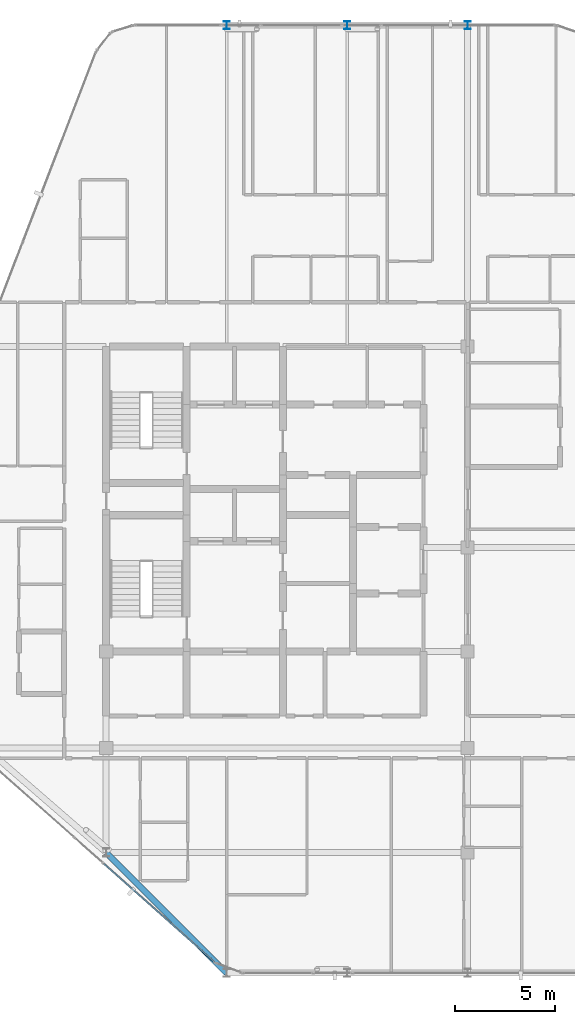
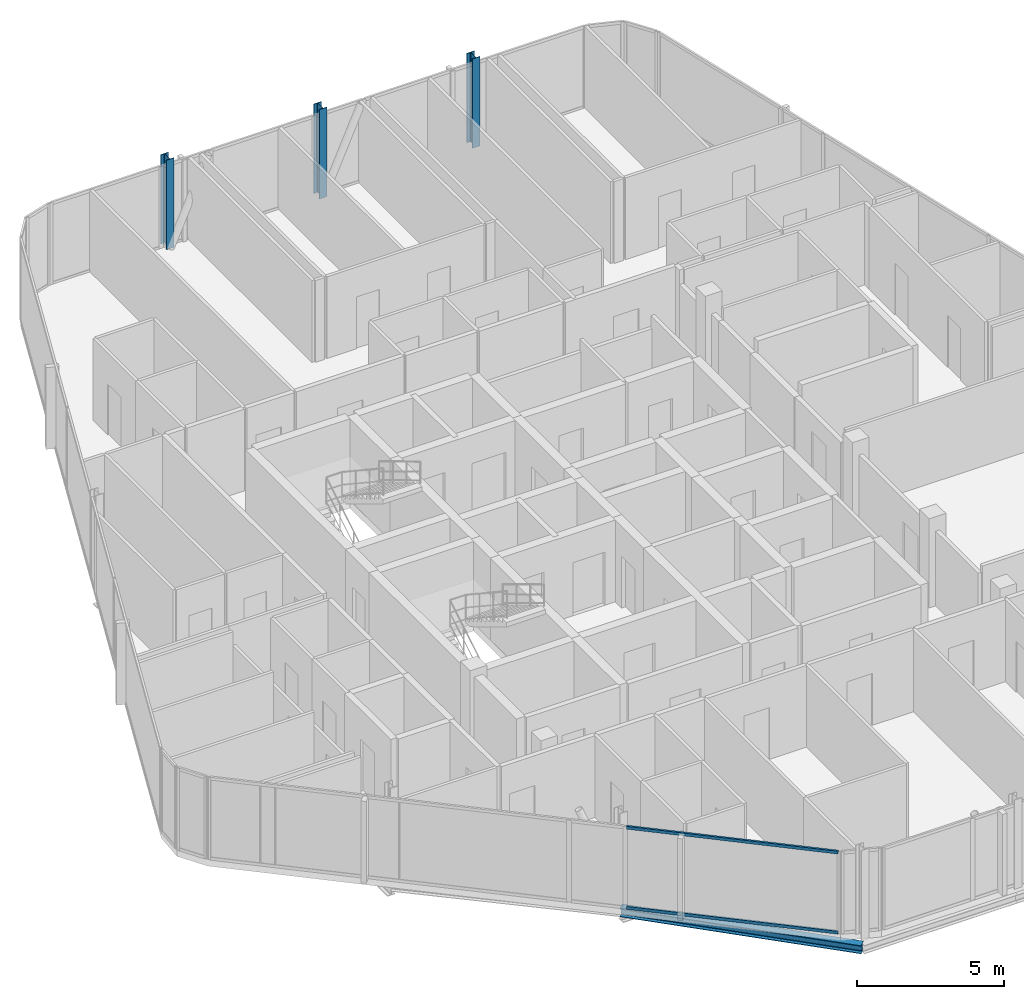
# One storey, part 2 of 28: 3 columns, 2 members, 1 beam, 1 element without a shape of its own.
"""IFC4 building model written with IfcOpenShell, lengths in metres."""

import ifcopenshell
import ifcopenshell.guid

model = None  # the IFC model being written
_history = None  # IfcOwnerHistory: only IFC2X3 demands one
_inside = {}  # id of a spatial element -> (the spatial element, [elements in it])
_under = {}  # id of a project, library or spatial element -> (it, [spatial elements below it])
_declared = {}  # id of a project -> (the project, [libraries it declares])
_typed = {}  # id of a type object -> (the type object, [elements of that type])
_made_of = {}  # id of a material, layer set ... -> (it, [elements and type objects made of it])


def new_model(schema):
    """Start an empty IFC model of exactly this schema.

    Asked for "IFC4X3", IfcOpenShell would pick the latest addendum, in which some entities
    have other attributes; the version numbers below select the first issue.
    IFC2X3 requires an IfcOwnerHistory on every rooted entity: one is made here for all.
    """
    global model, _history
    if schema == "IFC4X3":
        model = ifcopenshell.file(schema_version=(4, 3, 0, 0))
    else:
        model = ifcopenshell.file(schema=schema)
    _inside.clear()
    _under.clear()
    _declared.clear()
    _typed.clear()
    _made_of.clear()
    _history = None
    if model.schema == "IFC2X3":
        org = make("IfcOrganization", Name="unknown")
        user = make(
            "IfcPersonAndOrganization",
            ThePerson=make("IfcPerson", FamilyName="unknown"),
            TheOrganization=org,
        )
        app = make(
            "IfcApplication",
            ApplicationDeveloper=org,
            Version="unknown",
            ApplicationFullName="unknown",
            ApplicationIdentifier="unknown",
        )
        _history = make(
            "IfcOwnerHistory",
            OwningUser=user,
            OwningApplication=app,
            ChangeAction="ADDED",
            CreationDate=0,
        )
    return model


def make(cls, **values):
    """One entity of the class cls with the attributes given. An attribute that is None is left unset."""
    return model.create_entity(
        cls, **{name: value for name, value in values.items() if value is not None}
    )


def rooted(cls, **values):
    """An entity with a GlobalId (a new one), such as an element, a storey or a relation."""
    return make(cls, GlobalId=ifcopenshell.guid.new(), OwnerHistory=_history, **values)


def si_unit(unit_type, name, prefix=None):
    """IfcSIUnit, for example si_unit("LENGTHUNIT", "METRE", prefix="MILLI")."""
    return make("IfcSIUnit", UnitType=unit_type, Prefix=prefix, Name=name)


def assignment(units):
    """IfcUnitAssignment: the units of a project."""
    return None if units is None else make("IfcUnitAssignment", Units=units)


def point(xyz):
    """IfcCartesianPoint."""
    return None if xyz is None else make("IfcCartesianPoint", Coordinates=xyz)


def direction(xyz):
    """IfcDirection."""
    return None if xyz is None else make("IfcDirection", DirectionRatios=xyz)


def frame(location, z_axis=None, x_axis=None):
    """IfcAxis2Placement3D, a coordinate frame: its origin and axes. An axis left out is left unset."""
    return make(
        "IfcAxis2Placement3D",
        Location=point(location),
        Axis=direction(z_axis),
        RefDirection=direction(x_axis),
    )


def frame_2d(location, x_axis=None):
    """IfcAxis2Placement2D, a coordinate frame in the plane: its origin and x axis."""
    return make(
        "IfcAxis2Placement2D", Location=point(location), RefDirection=direction(x_axis)
    )


def origin():
    """The frame at (0, 0, 0) with its axes left unset."""
    return frame((0.0, 0.0, 0.0))


def origin_2d():
    """The frame at (0, 0) in the plane with its x axis left unset."""
    return frame_2d((0.0, 0.0))


def place(relative_to, where):
    """IfcLocalPlacement: puts the frame where relative to a parent placement (None: the world)."""
    return make(
        "IfcLocalPlacement", PlacementRelTo=relative_to, RelativePlacement=where
    )


def context(
    kind, dimensions, precision=None, world=None, true_north=None, identifier=None
):
    """IfcGeometricRepresentationContext, for example the 3D "Model" context."""
    return make(
        "IfcGeometricRepresentationContext",
        ContextIdentifier=identifier,
        ContextType=kind,
        CoordinateSpaceDimension=dimensions,
        Precision=precision,
        WorldCoordinateSystem=world,
        TrueNorth=true_north,
    )


def subcontext(parent, identifier, kind, view, scale=None):
    """IfcGeometricRepresentationSubContext, for example "Body" below "Model"."""
    return make(
        "IfcGeometricRepresentationSubContext",
        ContextIdentifier=identifier,
        ContextType=kind,
        ParentContext=parent,
        TargetScale=scale,
        TargetView=view,
    )


def project(units=None, contexts=None):
    """IfcProject with its units and contexts."""
    return rooted(
        "IfcProject",
        Name="project",
        RepresentationContexts=contexts,
        UnitsInContext=assignment(units),
    )


def spatial(cls, under=None, at=None, **own):
    """A site, building, storey or space (cls), placed at a placement, below another one or the project."""
    s = rooted(cls, ObjectPlacement=at, **own)
    if under is not None:
        _under.setdefault(under.id(), (under, []))[1].append(s)
    return s


def profile(cls, at=None, kind="AREA", **sizes):
    """A parametric profile (cls). Its sizes go by their IFC names, for example OverallWidth=200.0."""
    return make(cls, ProfileType=kind, Position=at, **sizes)


def hollow_rectangle(**sizes):
    """IfcRectangleHollowProfileDef."""
    return profile("IfcRectangleHollowProfileDef", **sizes)


def i_section(**sizes):
    """IfcIShapeProfileDef."""
    return profile("IfcIShapeProfileDef", **sizes)


def extrude(swept, where, along, depth):
    """IfcExtrudedAreaSolid: the profile swept, set in the frame where, extruded along a direction by depth."""
    return make(
        "IfcExtrudedAreaSolid",
        SweptArea=swept,
        Position=where,
        ExtrudedDirection=direction(along),
        Depth=depth,
    )


def shape(context_of_items, identifier, shape_type, items):
    """IfcShapeRepresentation: the items that make up one representation, for example the "Body"."""
    return make(
        "IfcShapeRepresentation",
        ContextOfItems=context_of_items,
        RepresentationIdentifier=identifier,
        RepresentationType=shape_type,
        Items=items,
    )


def material(Name=None, Category=None):
    """IfcMaterial."""
    return make("IfcMaterial", Name=Name, Category=Category)


def layer(
    of_material, thickness, ventilated=None, Name=None, Category=None, Priority=None
):
    """IfcMaterialLayer: one layer of a wall or slab, of a material (None: an air gap)."""
    return make(
        "IfcMaterialLayer",
        Material=of_material,
        LayerThickness=thickness,
        IsVentilated=ventilated,
        Name=Name,
        Category=Category,
        Priority=Priority,
    )


def layer_set(layers, Name=None):
    """IfcMaterialLayerSet."""
    return make("IfcMaterialLayerSet", MaterialLayers=layers, LayerSetName=Name)


def material_profile(
    of_material, cross_section, Name=None, Category=None, Priority=None
):
    """IfcMaterialProfile: a cross section and its material."""
    return make(
        "IfcMaterialProfile",
        Name=Name,
        Material=of_material,
        Profile=cross_section,
        Priority=Priority,
        Category=Category,
    )


def profile_set(profiles, Name=None, composite=None):
    """IfcMaterialProfileSet."""
    return make(
        "IfcMaterialProfileSet",
        Name=Name,
        MaterialProfiles=profiles,
        CompositeProfile=composite,
    )


def made_of(thing, what):
    """Note that an element or type object is made of a material, layer set ...; save() writes the relation."""
    if what is not None:
        _made_of.setdefault(what.id(), (what, []))[1].append(thing)
    return thing


def type_object(cls, material=None, **own):
    """A type object (cls), such as IfcWallType, which elements share."""
    return made_of(rooted(cls, **own), material)


def element(
    cls,
    number,
    at=None,
    inside=None,
    cuts=None,
    type_object=None,
    material=None,
    context=None,
    identifier="Body",
    shape_type=None,
    held_by="IfcProductDefinitionShape",
    body=None,
    shapes=None,
    **own,
):
    """One element of the class cls, such as IfcWall. Its Tag is "e" and its number.

    at: its placement. inside: the storey or other place that contains it. cuts: it is an
    opening in that element (IfcRelVoidsElement). A single representation is given by context,
    identifier, shape_type and body (its items); several are given by shapes. held_by: the class
    of the entity that holds the representations. save() writes the other relations.
    """
    e = rooted(cls, Tag="e%d" % number, ObjectPlacement=at, **own)
    if body is not None:
        shapes = [shape(context, identifier, shape_type, body)]
    if shapes is not None:
        e.Representation = make(held_by, Representations=shapes)
    if inside is not None:
        _inside.setdefault(inside.id(), (inside, []))[1].append(e)
    if cuts is not None:
        rooted(
            "IfcRelVoidsElement", RelatingBuildingElement=cuts, RelatedOpeningElement=e
        )
    if type_object is not None:
        _typed.setdefault(type_object.id(), (type_object, []))[1].append(e)
    return made_of(e, material)


def aggregate(whole, parts):
    """IfcRelAggregates: a whole, such as a stair, and the parts it consists of."""
    return rooted("IfcRelAggregates", RelatingObject=whole, RelatedObjects=parts)


def save(model, path):
    """Write the relations noted so far, then the file.

    IfcRelAggregates (storeys below a building ...), IfcRelContainedInSpatialStructure (elements
    in a storey), IfcRelDefinesByType, IfcRelAssociatesMaterial and IfcRelDeclares: one each for
    every whole, place, type object, material and project.
    """
    for whole, parts in _under.values():
        aggregate(whole, parts)
    for where, things in _inside.values():
        rooted(
            "IfcRelContainedInSpatialStructure",
            RelatedElements=things,
            RelatingStructure=where,
        )
    for kind, things in _typed.values():
        rooted("IfcRelDefinesByType", RelatedObjects=things, RelatingType=kind)
    for what, things in _made_of.values():
        rooted("IfcRelAssociatesMaterial", RelatedObjects=things, RelatingMaterial=what)
    for by, libraries in _declared.values():
        rooted("IfcRelDeclares", RelatingContext=by, RelatedDefinitions=libraries)
    model.write(path)


model = new_model("IFC4")

# Units and contexts
model_context = context("Model", 3, precision=1e-05, world=origin(), true_north=direction((0.0, 1.0)))
body_context = subcontext(model_context, "Body", "Model", "MODEL_VIEW")
ifc_project = project(units=[si_unit("LENGTHUNIT", "METRE"), si_unit("AREAUNIT", "SQUARE_METRE"), si_unit("VOLUMEUNIT", "CUBIC_METRE"), si_unit("PLANEANGLEUNIT", "RADIAN"), si_unit("MASSUNIT", "GRAM", prefix="KILO")], contexts=[model_context])

# Site, building, storey
site_placement = place(None, origin())
site = spatial("IfcSite", under=ifc_project, at=site_placement, CompositionType="ELEMENT")
building_placement = place(site_placement, origin())
building = spatial("IfcBuilding", under=site, at=building_placement, Name="Keshet Zoharim Tower", CompositionType="ELEMENT")
storey_placement = place(building_placement, frame((0.0, 0.0, 303.60009765625)))
storey = spatial("IfcBuildingStorey", under=building, at=storey_placement, Name="L76", CompositionType="ELEMENT", Elevation=303.60009765625)

# Columns
ifc_material_1 = material(Name="Steel S355", Category="steel")
ifc_material_profile_1 = material_profile(ifc_material_1, i_section(OverallWidth=0.300048828125, OverallDepth=0.39990234375, WebThickness=0.013427734375, FlangeThickness=0.02392578125, FilletRadius=0.027099609375, at=origin_2d()), Name="HEB400")
ifc_profile_set_1 = profile_set([ifc_material_profile_1], Name="Steel S355")
column_type = type_object("IfcColumnType", Name="COL-HEB400", PredefinedType="COLUMN", material=ifc_profile_set_1)
for number, where, z_axis, x_axis, name in (
    (1, (21.0, 53.89990234375, 0.0), (0.0, 0.0, 1.0), (1.0, 0.0, 0.0), "L76 Column 4L"),
    (2, (27.0, 53.89990234375, 0.0), (0.0, 0.0, 1.0), (1.0, 0.0, 0.0), "L76 Column 5L"),
    (3, (33.0, 53.89990234375, 0.0), (0.0, 0.0, 1.0), (1.0, 0.0, 0.0), "L76 Column 6L"),
):
    element("IfcColumn", number, at=place(storey_placement, frame(where, z_axis=z_axis, x_axis=x_axis)), inside=storey, type_object=column_type, Name=name, PredefinedType="COLUMN", context=body_context, shape_type="SweptSolid", body=[
        extrude(i_section(OverallWidth=0.300048828125, OverallDepth=0.39990234375, WebThickness=0.013427734375, FlangeThickness=0.02392578125, FilletRadius=0.027099609375, at=origin_2d()), origin(), (0.0, 0.0, 1.0), 3.699951171875),
    ])

# Beam
ifc_material_profile_2 = material_profile(ifc_material_1, i_section(OverallWidth=0.300048828125, OverallDepth=0.340087890625, WebThickness=0.011962890625, FlangeThickness=0.021484375, FilletRadius=0.027099609375, at=origin_2d()), Name="HEB340")
ifc_profile_set_2 = profile_set([ifc_material_profile_2], Name="Steel S355")
beam_type = type_object("IfcBeamType", Name="BM-SPN-HB340", PredefinedType="SPANDREL", material=ifc_profile_set_2)
beam_placement = place(storey_placement, frame((21.0, 6.699951171875, -0.47998046875), z_axis=(-0.707106781187, 0.707106781187, 0.0), x_axis=(-0.707106781187, -0.707106781187, 0.0)))
element("IfcBeam", 4, at=beam_placement, inside=storey, type_object=beam_type, Name="L76 Perimeter Spandrel Beam 01", PredefinedType="SPANDREL", context=body_context, shape_type="SweptSolid", body=[
    extrude(i_section(OverallWidth=0.300048828125, OverallDepth=0.340087890625, WebThickness=0.011962890625, FlangeThickness=0.021484375, FilletRadius=0.027099609375, at=origin_2d()), origin(), (0.0, 0.0, 1.0), 8.4853515625),
])

# Curtain wall, members
ifc_material_2 = material(Name="Aluminium 6063-T6", Category="aluminium")
ifc_layer = layer(ifc_material_2, 0.260009765625)
ifc_layer_set = layer_set([ifc_layer], Name="Aluminium 6063-T6")
curtain_wall_type = type_object("IfcCurtainWallType", Name="CW-SYS-06", PredefinedType="NOTDEFINED", material=ifc_layer_set)
curtain_wall_placement = place(storey_placement, origin())
curtain_wall = element("IfcCurtainWall", 5, at=curtain_wall_placement, inside=storey, type_object=curtain_wall_type, Name="L76 Unitised Curtain Wall 16", PredefinedType="NOTDEFINED")
ifc_material_profile_3 = material_profile(ifc_material_2, hollow_rectangle(XDim=0.074951171875, YDim=0.1201171875, WallThickness=0.00390625, at=origin_2d()), Name="TRN-75x120")
ifc_profile_set_3 = profile_set([ifc_material_profile_3], Name="Aluminium 6063-T6")
member_type = type_object("IfcMemberType", Name="CWT-T12", PredefinedType="USERDEFINED", material=ifc_profile_set_3)
member_1_placement = place(storey_placement, frame((20.379638671875, 7.25146484375, 0.034912109375), z_axis=(-0.747412985939, 0.664359713145, 0.0), x_axis=(-0.664359713145, -0.747412985939, 0.0)))
member_1 = element("IfcMember", 6, at=member_1_placement, type_object=member_type, Name="CW-06 transom 1.1", ObjectType="TRANSOM", PredefinedType="USERDEFINED", context=body_context, shape_type="SweptSolid", body=[
    extrude(hollow_rectangle(XDim=0.074951171875, YDim=0.1201171875, WallThickness=0.00390625, at=origin_2d()), origin(), (0.0, 0.0, 1.0), 7.345947265625),
])
member_2_placement = place(storey_placement, frame((20.379638671875, 7.25146484375, 3.35498046875), z_axis=(-0.747412985939, 0.664359713145, 0.0), x_axis=(-0.664359713145, -0.747412985939, 0.0)))
member_2 = element("IfcMember", 7, at=member_2_placement, type_object=member_type, Name="CW-06 transom 1.2", ObjectType="TRANSOM", PredefinedType="USERDEFINED", context=body_context, shape_type="SweptSolid", body=[
    extrude(hollow_rectangle(XDim=0.074951171875, YDim=0.1201171875, WallThickness=0.00390625, at=origin_2d()), origin(), (0.0, 0.0, 1.0), 7.345947265625),
])
aggregate(curtain_wall, [member_1, member_2])

save(model, "model.ifc")
